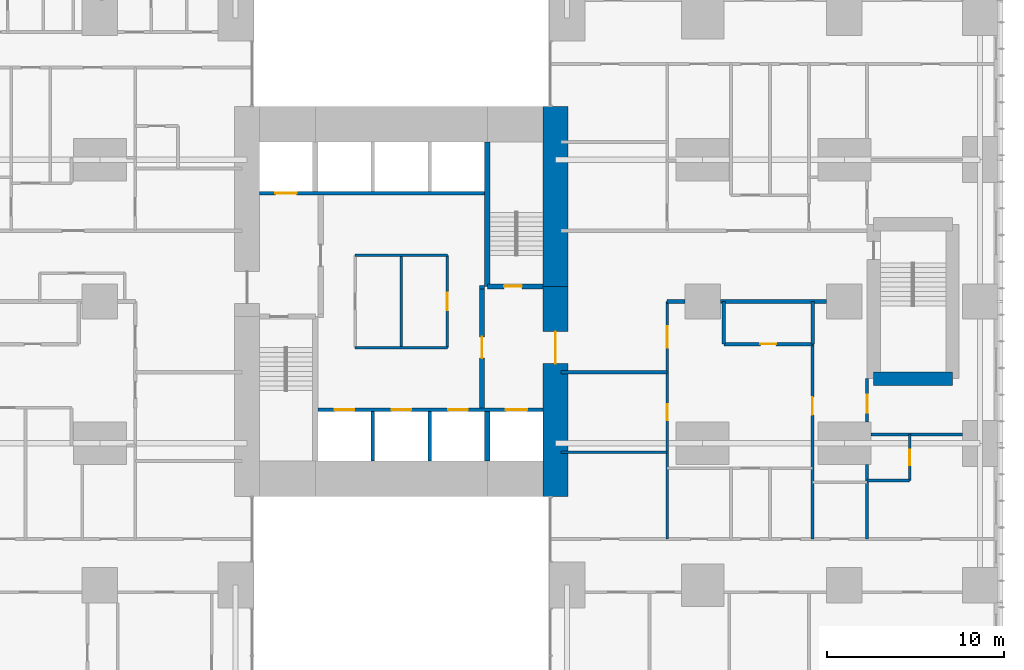
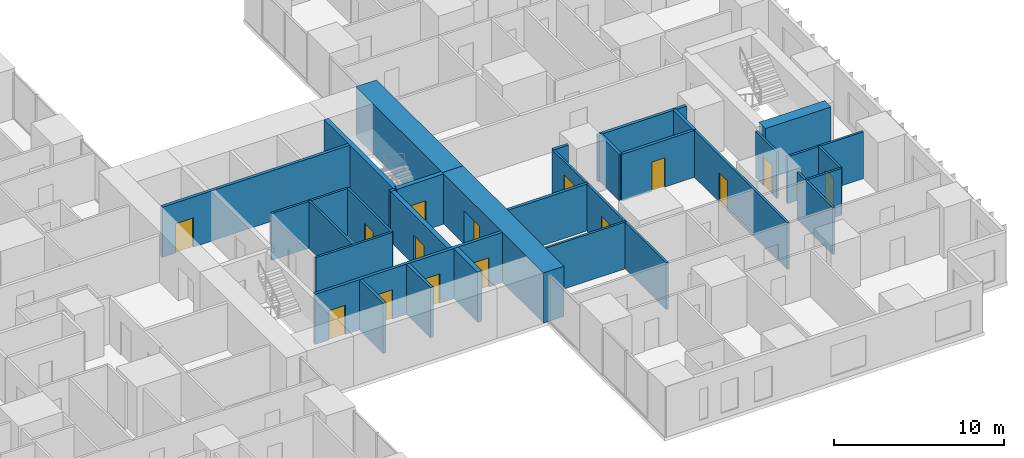
# One storey, part 15 of 20: 30 walls, 15 doors, 15 openings.
"""IFC4 building model written with IfcOpenShell, lengths in metres."""

import ifcopenshell
import ifcopenshell.guid

model = None  # the IFC model being written
_history = None  # IfcOwnerHistory: only IFC2X3 demands one
_inside = {}  # id of a spatial element -> (the spatial element, [elements in it])
_under = {}  # id of a project, library or spatial element -> (it, [spatial elements below it])
_declared = {}  # id of a project -> (the project, [libraries it declares])
_typed = {}  # id of a type object -> (the type object, [elements of that type])
_made_of = {}  # id of a material, layer set ... -> (it, [elements and type objects made of it])


def new_model(schema):
    """Start an empty IFC model of exactly this schema.

    Asked for "IFC4X3", IfcOpenShell would pick the latest addendum, in which some entities
    have other attributes; the version numbers below select the first issue.
    IFC2X3 requires an IfcOwnerHistory on every rooted entity: one is made here for all.
    """
    global model, _history
    if schema == "IFC4X3":
        model = ifcopenshell.file(schema_version=(4, 3, 0, 0))
    else:
        model = ifcopenshell.file(schema=schema)
    _inside.clear()
    _under.clear()
    _declared.clear()
    _typed.clear()
    _made_of.clear()
    _history = None
    if model.schema == "IFC2X3":
        org = make("IfcOrganization", Name="unknown")
        user = make(
            "IfcPersonAndOrganization",
            ThePerson=make("IfcPerson", FamilyName="unknown"),
            TheOrganization=org,
        )
        app = make(
            "IfcApplication",
            ApplicationDeveloper=org,
            Version="unknown",
            ApplicationFullName="unknown",
            ApplicationIdentifier="unknown",
        )
        _history = make(
            "IfcOwnerHistory",
            OwningUser=user,
            OwningApplication=app,
            ChangeAction="ADDED",
            CreationDate=0,
        )
    return model


def make(cls, **values):
    """One entity of the class cls with the attributes given. An attribute that is None is left unset."""
    return model.create_entity(
        cls, **{name: value for name, value in values.items() if value is not None}
    )


def rooted(cls, **values):
    """An entity with a GlobalId (a new one), such as an element, a storey or a relation."""
    return make(cls, GlobalId=ifcopenshell.guid.new(), OwnerHistory=_history, **values)


def si_unit(unit_type, name, prefix=None):
    """IfcSIUnit, for example si_unit("LENGTHUNIT", "METRE", prefix="MILLI")."""
    return make("IfcSIUnit", UnitType=unit_type, Prefix=prefix, Name=name)


def assignment(units):
    """IfcUnitAssignment: the units of a project."""
    return None if units is None else make("IfcUnitAssignment", Units=units)


def point(xyz):
    """IfcCartesianPoint."""
    return None if xyz is None else make("IfcCartesianPoint", Coordinates=xyz)


def direction(xyz):
    """IfcDirection."""
    return None if xyz is None else make("IfcDirection", DirectionRatios=xyz)


def frame(location, z_axis=None, x_axis=None):
    """IfcAxis2Placement3D, a coordinate frame: its origin and axes. An axis left out is left unset."""
    return make(
        "IfcAxis2Placement3D",
        Location=point(location),
        Axis=direction(z_axis),
        RefDirection=direction(x_axis),
    )


def frame_2d(location, x_axis=None):
    """IfcAxis2Placement2D, a coordinate frame in the plane: its origin and x axis."""
    return make(
        "IfcAxis2Placement2D", Location=point(location), RefDirection=direction(x_axis)
    )


def origin():
    """The frame at (0, 0, 0) with its axes left unset."""
    return frame((0.0, 0.0, 0.0))


def place(relative_to, where):
    """IfcLocalPlacement: puts the frame where relative to a parent placement (None: the world)."""
    return make(
        "IfcLocalPlacement", PlacementRelTo=relative_to, RelativePlacement=where
    )


def context(
    kind, dimensions, precision=None, world=None, true_north=None, identifier=None
):
    """IfcGeometricRepresentationContext, for example the 3D "Model" context."""
    return make(
        "IfcGeometricRepresentationContext",
        ContextIdentifier=identifier,
        ContextType=kind,
        CoordinateSpaceDimension=dimensions,
        Precision=precision,
        WorldCoordinateSystem=world,
        TrueNorth=true_north,
    )


def subcontext(parent, identifier, kind, view, scale=None):
    """IfcGeometricRepresentationSubContext, for example "Body" below "Model"."""
    return make(
        "IfcGeometricRepresentationSubContext",
        ContextIdentifier=identifier,
        ContextType=kind,
        ParentContext=parent,
        TargetScale=scale,
        TargetView=view,
    )


def project(units=None, contexts=None):
    """IfcProject with its units and contexts."""
    return rooted(
        "IfcProject",
        Name="project",
        RepresentationContexts=contexts,
        UnitsInContext=assignment(units),
    )


def spatial(cls, under=None, at=None, **own):
    """A site, building, storey or space (cls), placed at a placement, below another one or the project."""
    s = rooted(cls, ObjectPlacement=at, **own)
    if under is not None:
        _under.setdefault(under.id(), (under, []))[1].append(s)
    return s


def profile(cls, at=None, kind="AREA", **sizes):
    """A parametric profile (cls). Its sizes go by their IFC names, for example OverallWidth=200.0."""
    return make(cls, ProfileType=kind, Position=at, **sizes)


def rectangle(**sizes):
    """IfcRectangleProfileDef."""
    return profile("IfcRectangleProfileDef", **sizes)


def extrude(swept, where, along, depth):
    """IfcExtrudedAreaSolid: the profile swept, set in the frame where, extruded along a direction by depth."""
    return make(
        "IfcExtrudedAreaSolid",
        SweptArea=swept,
        Position=where,
        ExtrudedDirection=direction(along),
        Depth=depth,
    )


def shape(context_of_items, identifier, shape_type, items):
    """IfcShapeRepresentation: the items that make up one representation, for example the "Body"."""
    return make(
        "IfcShapeRepresentation",
        ContextOfItems=context_of_items,
        RepresentationIdentifier=identifier,
        RepresentationType=shape_type,
        Items=items,
    )


def material(Name=None, Category=None):
    """IfcMaterial."""
    return make("IfcMaterial", Name=Name, Category=Category)


def layer(
    of_material, thickness, ventilated=None, Name=None, Category=None, Priority=None
):
    """IfcMaterialLayer: one layer of a wall or slab, of a material (None: an air gap)."""
    return make(
        "IfcMaterialLayer",
        Material=of_material,
        LayerThickness=thickness,
        IsVentilated=ventilated,
        Name=Name,
        Category=Category,
        Priority=Priority,
    )


def layer_set(layers, Name=None):
    """IfcMaterialLayerSet."""
    return make("IfcMaterialLayerSet", MaterialLayers=layers, LayerSetName=Name)


def made_of(thing, what):
    """Note that an element or type object is made of a material, layer set ...; save() writes the relation."""
    if what is not None:
        _made_of.setdefault(what.id(), (what, []))[1].append(thing)
    return thing


def type_object(cls, material=None, **own):
    """A type object (cls), such as IfcWallType, which elements share."""
    return made_of(rooted(cls, **own), material)


def element(
    cls,
    number,
    at=None,
    inside=None,
    cuts=None,
    type_object=None,
    material=None,
    context=None,
    identifier="Body",
    shape_type=None,
    held_by="IfcProductDefinitionShape",
    body=None,
    shapes=None,
    **own,
):
    """One element of the class cls, such as IfcWall. Its Tag is "e" and its number.

    at: its placement. inside: the storey or other place that contains it. cuts: it is an
    opening in that element (IfcRelVoidsElement). A single representation is given by context,
    identifier, shape_type and body (its items); several are given by shapes. held_by: the class
    of the entity that holds the representations. save() writes the other relations.
    """
    e = rooted(cls, Tag="e%d" % number, ObjectPlacement=at, **own)
    if body is not None:
        shapes = [shape(context, identifier, shape_type, body)]
    if shapes is not None:
        e.Representation = make(held_by, Representations=shapes)
    if inside is not None:
        _inside.setdefault(inside.id(), (inside, []))[1].append(e)
    if cuts is not None:
        rooted(
            "IfcRelVoidsElement", RelatingBuildingElement=cuts, RelatedOpeningElement=e
        )
    if type_object is not None:
        _typed.setdefault(type_object.id(), (type_object, []))[1].append(e)
    return made_of(e, material)


def fill(opening, filler):
    """IfcRelFillsElement: the door or window that sits in an opening."""
    return rooted(
        "IfcRelFillsElement",
        RelatingOpeningElement=opening,
        RelatedBuildingElement=filler,
    )


def aggregate(whole, parts):
    """IfcRelAggregates: a whole, such as a stair, and the parts it consists of."""
    return rooted("IfcRelAggregates", RelatingObject=whole, RelatedObjects=parts)


def save(model, path):
    """Write the relations noted so far, then the file.

    IfcRelAggregates (storeys below a building ...), IfcRelContainedInSpatialStructure (elements
    in a storey), IfcRelDefinesByType, IfcRelAssociatesMaterial and IfcRelDeclares: one each for
    every whole, place, type object, material and project.
    """
    for whole, parts in _under.values():
        aggregate(whole, parts)
    for where, things in _inside.values():
        rooted(
            "IfcRelContainedInSpatialStructure",
            RelatedElements=things,
            RelatingStructure=where,
        )
    for kind, things in _typed.values():
        rooted("IfcRelDefinesByType", RelatedObjects=things, RelatingType=kind)
    for what, things in _made_of.values():
        rooted("IfcRelAssociatesMaterial", RelatedObjects=things, RelatingMaterial=what)
    for by, libraries in _declared.values():
        rooted("IfcRelDeclares", RelatingContext=by, RelatedDefinitions=libraries)
    model.write(path)


model = new_model("IFC4")

# Units and contexts
model_context = context("Model", 3, precision=1e-05, world=origin(), true_north=direction((0.0, 1.0)))
body_context = subcontext(model_context, "Body", "Model", "MODEL_VIEW")
ifc_project = project(units=[si_unit("LENGTHUNIT", "METRE"), si_unit("AREAUNIT", "SQUARE_METRE"), si_unit("VOLUMEUNIT", "CUBIC_METRE"), si_unit("PLANEANGLEUNIT", "RADIAN"), si_unit("MASSUNIT", "GRAM", prefix="KILO")], contexts=[model_context])

# Site, building, storey
site_placement = place(None, origin())
site = spatial("IfcSite", under=ifc_project, at=site_placement, CompositionType="ELEMENT")
building_placement = place(site_placement, origin())
building = spatial("IfcBuilding", under=site, at=building_placement, Name="Cleftline Residences", CompositionType="ELEMENT")
storey_placement = place(building_placement, frame((0.0, 0.0, 114.199951171875)))
storey = spatial("IfcBuildingStorey", under=building, at=storey_placement, Name="L29", CompositionType="ELEMENT", Elevation=114.199951171875)

# Wall, opening, door
ifc_material_1 = material(Name="Concrete B70", Category="concrete")
ifc_layer_1 = layer(ifc_material_1, 1.39990234375)
ifc_layer_set_1 = layer_set([ifc_layer_1], Name="CORE WALL 1400")
wall_type_1 = type_object("IfcWallType", Name="CORE WALL 1400", PredefinedType="SHEAR", material=ifc_layer_set_1)
wall_1_placement = place(storey_placement, frame((41.699951171875, 13.0, 0.0), z_axis=(0.0, 0.0, 1.0), x_axis=(0.0, 1.0, 0.0)))
wall_1 = element("IfcWall", 1, at=wall_1_placement, inside=storey, type_object=wall_type_1, Name="Core wall E", PredefinedType="SHEAR", context=body_context, shape_type="SweptSolid", body=[
    extrude(rectangle(XDim=11.85009765625, YDim=1.39990234375, at=frame_2d((5.925048828125, 0.0))), origin(), (0.0, 0.0, 1.0), 3.60009765625),
])
opening_1_placement = place(wall_1_placement, frame((7.5, 0.0, 0.0)))
opening_1 = element("IfcOpeningElement", 2, at=opening_1_placement, cuts=wall_1, Name="Opening D7", PredefinedType="OPENING", context=body_context, shape_type="SweptSolid", body=[
    extrude(rectangle(XDim=1.800048828125, YDim=2.39990234375, at=frame_2d((0.89990234375, 1.199951171875))), frame((0.0, 0.7099609375, 0.0), z_axis=(0.0, -1.0, 0.0), x_axis=(1.0, 0.0, 0.0)), (0.0, 0.0, 1.0), 1.419921875),
])
ifc_material_2 = material(Name="Steel", Category="steel")
door_type_1 = type_object("IfcDoorType", Name="WING DOOR 1800X2400", OperationType="DOUBLE_DOOR_DOUBLE_SWING", PredefinedType="DOOR", material=ifc_material_2)
door_1_placement = place(opening_1_placement, origin())
door_1 = element("IfcDoor", 3, at=door_1_placement, inside=storey, type_object=door_type_1, Name="East wing door", OperationType="DOUBLE_DOOR_DOUBLE_SWING", OverallHeight=2.39990234375, OverallWidth=1.800048828125, PredefinedType="DOOR", context=body_context, shape_type="SweptSolid", body=[
    extrude(rectangle(XDim=1.800048828125, YDim=2.39990234375, at=frame_2d((0.89990234375, 1.199951171875))), frame((0.0, 0.02490234375, 0.0), z_axis=(0.0, -1.0, 0.0), x_axis=(1.0, 0.0, 0.0)), (0.0, 0.0, 1.0), 0.050048828125),
])
fill(opening_1, door_1)

# Walls
wall_2_placement = place(storey_placement, frame((41.699951171875, 24.85009765625, 0.0), z_axis=(0.0, 0.0, 1.0), x_axis=(0.0, 1.0, 0.0)))
element("IfcWall", 4, at=wall_2_placement, inside=storey, type_object=wall_type_1, Name="Core wall E1", PredefinedType="SHEAR", context=body_context, shape_type="SweptSolid", body=[
    extrude(rectangle(XDim=10.14990234375, YDim=1.39990234375, at=frame_2d((5.074951171875, 0.0))), origin(), (0.0, 0.0, 1.0), 3.60009765625),
])
ifc_material_3 = material(Name="Concrete B70", Category="concrete")
ifc_layer_2 = layer(ifc_material_3, 0.300048828125)
ifc_layer_set_2 = layer_set([ifc_layer_2], Name="CORE WALL 300")
wall_type_2 = type_object("IfcWallType", Name="CORE WALL 300", PredefinedType="SHEAR", material=ifc_layer_set_2)
wall_3_placement = place(storey_placement, frame((37.85009765625, 24.85009765625, 0.0), z_axis=(0.0, 0.0, 1.0), x_axis=(0.0, 1.0, 0.0)))
element("IfcWall", 5, at=wall_3_placement, inside=storey, type_object=wall_type_2, Name="Core wall SB-W", PredefinedType="SHEAR", context=body_context, shape_type="SweptSolid", body=[
    extrude(rectangle(XDim=8.14990234375, YDim=0.300048828125, at=frame_2d((4.074951171875, 0.0))), origin(), (0.0, 0.0, 1.0), 3.60009765625),
])

# Wall, opening, door
wall_4_placement = place(storey_placement, frame((37.85009765625, 24.85009765625, 0.0), z_axis=(0.0, 0.0, 1.0), x_axis=(1.0, 0.0, 0.0)))
wall_4 = element("IfcWall", 6, at=wall_4_placement, inside=storey, type_object=wall_type_2, Name="Core wall SB-S", PredefinedType="SHEAR", context=body_context, shape_type="SweptSolid", body=[
    extrude(rectangle(XDim=3.14990234375, YDim=0.300048828125, at=frame_2d((1.574951171875, 0.0))), origin(), (0.0, 0.0, 1.0), 3.60009765625),
])
opening_2_placement = place(wall_4_placement, frame((0.949951171875, 0.0, 0.0)))
opening_2 = element("IfcOpeningElement", 7, at=opening_2_placement, cuts=wall_4, Name="Opening D5", PredefinedType="OPENING", context=body_context, shape_type="SweptSolid", body=[
    extrude(rectangle(XDim=1.0, YDim=2.10009765625, at=frame_2d((0.5, 1.050048828125))), frame((0.0, 0.159912109375, 0.0), z_axis=(0.0, -1.0, 0.0), x_axis=(1.0, 0.0, 0.0)), (0.0, 0.0, 1.0), 0.320068359375),
])
ifc_material_4 = material(Name="Steel", Category="steel")
door_type_2 = type_object("IfcDoorType", Name="STAIR DOOR 1000X2100", OperationType="SINGLE_SWING_LEFT", PredefinedType="DOOR", material=ifc_material_4)
door_2_placement = place(opening_2_placement, origin())
door_2 = element("IfcDoor", 8, at=door_2_placement, inside=storey, type_object=door_type_2, Name="Stair B door", OperationType="SINGLE_SWING_RIGHT", OverallHeight=2.10009765625, OverallWidth=1.0, PredefinedType="DOOR", context=body_context, shape_type="SweptSolid", body=[
    extrude(rectangle(XDim=1.0, YDim=2.10009765625, at=frame_2d((0.5, 1.050048828125))), frame((0.0, 0.02490234375, 0.0), z_axis=(0.0, -1.0, 0.0), x_axis=(1.0, 0.0, 0.0)), (0.0, 0.0, 1.0), 0.050048828125),
])
fill(opening_2, door_2)

# Walls
wall_5_placement = place(storey_placement, frame((37.85009765625, 15.0, 0.0), z_axis=(0.0, 0.0, 1.0), x_axis=(0.0, 1.0, 0.0)))
element("IfcWall", 9, at=wall_5_placement, inside=storey, type_object=wall_type_2, Name="Lift shaft wall", PredefinedType="SHEAR", context=body_context, shape_type="SweptSolid", body=[
    extrude(rectangle(XDim=2.800048828125, YDim=0.300048828125, at=frame_2d((1.39990234375, 0.0))), origin(), (0.0, 0.0, 1.0), 3.60009765625),
])
ifc_material_5 = material(Name="Concrete blockwork, fire rated", Category="masonry")
ifc_layer_3 = layer(ifc_material_5, 0.199951171875)
ifc_layer_set_3 = layer_set([ifc_layer_3], Name="FIRE WALL 200")
wall_type_3 = type_object("IfcWallType", Name="FIRE WALL 200", PredefinedType="PARTITIONING", material=ifc_layer_set_3)
wall_6_placement = place(storey_placement, frame((42.0, 20.0, 0.0), z_axis=(0.0, 0.0, 1.0), x_axis=(1.0, 0.0, 0.0)))
element("IfcWall", 10, at=wall_6_placement, inside=storey, type_object=wall_type_3, Name="Fire separating wall", PredefinedType="PARTITIONING", context=body_context, shape_type="SweptSolid", body=[
    extrude(rectangle(XDim=6.0, YDim=0.199951171875, at=frame_2d((3.0, 0.0))), origin(), (0.0, 0.0, 1.0), 3.35009765625),
])

# Wall, opening, door
wall_7_placement = place(storey_placement, frame((51.199951171875, 21.60009765625, 0.0), z_axis=(0.0, 0.0, 1.0), x_axis=(1.0, 0.0, 0.0)))
wall_7 = element("IfcWall", 11, at=wall_7_placement, inside=storey, type_object=wall_type_3, Name="Fire separating wall", PredefinedType="PARTITIONING", context=body_context, shape_type="SweptSolid", body=[
    extrude(rectangle(XDim=5.0, YDim=0.199951171875, at=frame_2d((2.5, 0.0))), origin(), (0.0, 0.0, 1.0), 3.35009765625),
])
opening_3_placement = place(wall_7_placement, frame((2.050048828125, 0.0, 0.0)))
opening_3 = element("IfcOpeningElement", 12, at=opening_3_placement, cuts=wall_7, Name="Opening D1F30", PredefinedType="OPENING", context=body_context, shape_type="SweptSolid", body=[
    extrude(rectangle(XDim=0.89990234375, YDim=2.10009765625, at=frame_2d((0.449951171875, 1.050048828125))), frame((0.0, 0.10986328125, 0.0), z_axis=(0.0, -1.0, 0.0), x_axis=(1.0, 0.0, 0.0)), (0.0, 0.0, 1.0), 0.219970703125),
])
ifc_material_6 = material(Name="Timber veneer on solid core", Category="wood")
door_type_3 = type_object("IfcDoorType", Name="DOOR 900X2100 EI 30", OperationType="SINGLE_SWING_LEFT", PredefinedType="DOOR", material=ifc_material_6)
door_3_placement = place(opening_3_placement, origin())
door_3 = element("IfcDoor", 13, at=door_3_placement, inside=storey, type_object=door_type_3, Name="Door to cloakroom wc", OperationType="SINGLE_SWING_LEFT", OverallHeight=2.10009765625, OverallWidth=0.89990234375, PredefinedType="DOOR", context=body_context, shape_type="SweptSolid", body=[
    extrude(rectangle(XDim=0.89990234375, YDim=2.10009765625, at=frame_2d((0.449951171875, 1.050048828125))), frame((0.0, 0.02490234375, 0.0), z_axis=(0.0, -1.0, 0.0), x_axis=(1.0, 0.0, 0.0)), (0.0, 0.0, 1.0), 0.050048828125),
])
fill(opening_3, door_3)

# Walls
wall_8_placement = place(storey_placement, frame((48.0, 24.0, 0.0), z_axis=(0.0, 0.0, 1.0), x_axis=(1.0, 0.0, 0.0)))
element("IfcWall", 14, at=wall_8_placement, inside=storey, type_object=wall_type_3, Name="Fire separating wall", PredefinedType="PARTITIONING", context=body_context, shape_type="SweptSolid", body=[
    extrude(rectangle(XDim=1.0, YDim=0.199951171875, at=frame_2d((0.5, 0.0))), origin(), (0.0, 0.0, 1.0), 3.35009765625),
])
wall_9_placement = place(storey_placement, frame((51.0, 24.0, 0.0), z_axis=(0.0, 0.0, 1.0), x_axis=(1.0, 0.0, 0.0)))
element("IfcWall", 15, at=wall_9_placement, inside=storey, type_object=wall_type_3, Name="Fire separating wall", PredefinedType="PARTITIONING", context=body_context, shape_type="SweptSolid", body=[
    extrude(rectangle(XDim=6.0, YDim=0.199951171875, at=frame_2d((3.0, 0.0))), origin(), (0.0, 0.0, 1.0), 3.35009765625),
])
for number, where, z_axis, x_axis, name in (
    (16, (51.199951171875, 21.60009765625, 0.0), (0.0, 0.0, 1.0), (0.0, 1.0, 0.0), "Fire separating wall"),
    (17, (56.199951171875, 21.60009765625, 0.0), (0.0, 0.0, 1.0), (0.0, 1.0, 0.0), "Fire separating wall"),
):
    element("IfcWall", number, at=place(storey_placement, frame(where, z_axis=z_axis, x_axis=x_axis)), inside=storey, type_object=wall_type_3, Name=name, PredefinedType="PARTITIONING", context=body_context, shape_type="SweptSolid", body=[
        extrude(rectangle(XDim=2.39990234375, YDim=0.199951171875, at=frame_2d((1.199951171875, 0.0))), origin(), (0.0, 0.0, 1.0), 3.35009765625),
    ])
wall_10_placement = place(storey_placement, frame((37.39990234375, 24.800048828125, 0.0), z_axis=(0.0, 0.0, 1.0), x_axis=(1.0, 0.0, 0.0)))
element("IfcWall", 18, at=wall_10_placement, inside=storey, type_object=wall_type_3, Name="Fire separating wall", PredefinedType="PARTITIONING", context=body_context, shape_type="SweptSolid", body=[
    extrude(rectangle(XDim=0.300048828125, YDim=0.199951171875, at=frame_2d((0.14990234375, 0.0))), origin(), (0.0, 0.0, 1.0), 3.60009765625),
])
ifc_material_7 = material(Name="Gypsum board on steel studs", Category="steel")
ifc_layer_4 = layer(ifc_material_7, 0.14990234375)
ifc_layer_set_4 = layer_set([ifc_layer_4], Name="PARTITION 150")
wall_type_4 = type_object("IfcWallType", Name="PARTITION 150", PredefinedType="PARTITIONING", material=ifc_layer_set_4)
wall_11_placement = place(storey_placement, frame((59.27490234375, 13.89990234375, 0.0), z_axis=(0.0, 0.0, 1.0), x_axis=(1.0, 0.0, 0.0)))
element("IfcWall", 19, at=wall_11_placement, inside=storey, type_object=wall_type_4, Name="Partition", PredefinedType="PARTITIONING", context=body_context, shape_type="SweptSolid", body=[
    extrude(rectangle(XDim=2.400146484375, YDim=0.14990234375, at=frame_2d((1.2001953125, 0.0))), origin(), (0.0, 0.0, 1.0), 3.35009765625),
])
wall_12_placement = place(storey_placement, frame((42.0, 15.5, 0.0), z_axis=(0.0, 0.0, 1.0), x_axis=(1.0, 0.0, 0.0)))
element("IfcWall", 20, at=wall_12_placement, inside=storey, type_object=wall_type_4, Name="Partition", PredefinedType="PARTITIONING", context=body_context, shape_type="SweptSolid", body=[
    extrude(rectangle(XDim=6.0, YDim=0.14990234375, at=frame_2d((3.0, 0.0))), origin(), (0.0, 0.0, 1.0), 3.35009765625),
])
wall_13_placement = place(storey_placement, frame((59.5, 16.5, 0.0), z_axis=(0.0, 0.0, 1.0), x_axis=(1.0, 0.0, 0.0)))
element("IfcWall", 21, at=wall_13_placement, inside=storey, type_object=wall_type_4, Name="Partition", PredefinedType="PARTITIONING", context=body_context, shape_type="SweptSolid", body=[
    extrude(rectangle(XDim=5.14990234375, YDim=0.14990234375, at=frame_2d((2.574951171875, 0.0))), origin(), (0.0, 0.0, 1.0), 3.35009765625),
])

# Wall, openings, doors
wall_14_placement = place(storey_placement, frame((48.0, 10.60009765625, 0.0), z_axis=(0.0, 0.0, 1.0), x_axis=(0.0, 1.0, 0.0)))
wall_14 = element("IfcWall", 22, at=wall_14_placement, inside=storey, type_object=wall_type_4, Name="Partition", PredefinedType="PARTITIONING", context=body_context, shape_type="SweptSolid", body=[
    extrude(rectangle(XDim=13.39990234375, YDim=0.14990234375, at=frame_2d((6.699951171875, 0.0))), origin(), (0.0, 0.0, 1.0), 3.35009765625),
])
opening_4_placement = place(wall_14_placement, frame((10.800048828125, 0.0, 0.0)))
opening_4 = element("IfcOpeningElement", 23, at=opening_4_placement, cuts=wall_14, Name="Opening D4", PredefinedType="OPENING", context=body_context, shape_type="SweptSolid", body=[
    extrude(rectangle(XDim=1.199951171875, YDim=2.39990234375, at=frame_2d((0.60009765625, 1.199951171875))), frame((0.0, 0.0849609375, 0.0), z_axis=(0.0, -1.0, 0.0), x_axis=(1.0, 0.0, 0.0)), (0.0, 0.0, 1.0), 0.169921875),
])
opening_5_placement = place(wall_14_placement, frame((6.699951171875, 0.0, 0.0)))
opening_5 = element("IfcOpeningElement", 24, at=opening_5_placement, cuts=wall_14, Name="Opening D1F60", PredefinedType="OPENING", context=body_context, shape_type="SweptSolid", body=[
    extrude(rectangle(XDim=0.89990234375, YDim=2.10009765625, at=frame_2d((0.449951171875, 1.050048828125))), frame((0.0, 0.0849609375, 0.0), z_axis=(0.0, -1.0, 0.0), x_axis=(1.0, 0.0, 0.0)), (0.0, 0.0, 1.0), 0.169921875),
])
ifc_material_8 = material(Name="Timber veneer on solid core", Category="wood")
door_type_4 = type_object("IfcDoorType", Name="APARTMENT ENTRANCE DOOR 1200X2400", OperationType="SINGLE_SWING_RIGHT", PredefinedType="DOOR", material=ifc_material_8)
door_4_placement = place(opening_4_placement, origin())
door_4 = element("IfcDoor", 25, at=door_4_placement, inside=storey, type_object=door_type_4, Name="Door to residence entrance foyer", OperationType="SINGLE_SWING_LEFT", OverallHeight=2.39990234375, OverallWidth=1.199951171875, PredefinedType="DOOR", context=body_context, shape_type="SweptSolid", body=[
    extrude(rectangle(XDim=1.199951171875, YDim=2.39990234375, at=frame_2d((0.60009765625, 1.199951171875))), frame((0.0, 0.02490234375, 0.0), z_axis=(0.0, -1.0, 0.0), x_axis=(1.0, 0.0, 0.0)), (0.0, 0.0, 1.0), 0.050048828125),
])
fill(opening_4, door_4)
ifc_material_9 = material(Name="Timber veneer on solid core", Category="wood")
door_type_5 = type_object("IfcDoorType", Name="DOOR 900X2100 EI 60", OperationType="SINGLE_SWING_LEFT", PredefinedType="DOOR", material=ifc_material_9)
door_5_placement = place(opening_5_placement, origin())
door_5 = element("IfcDoor", 26, at=door_5_placement, inside=storey, type_object=door_type_5, Name="Door to utility room", OperationType="SINGLE_SWING_LEFT", OverallHeight=2.10009765625, OverallWidth=0.89990234375, PredefinedType="DOOR", context=body_context, shape_type="SweptSolid", body=[
    extrude(rectangle(XDim=0.89990234375, YDim=2.10009765625, at=frame_2d((0.449951171875, 1.050048828125))), frame((0.0, 0.02490234375, 0.0), z_axis=(0.0, -1.0, 0.0), x_axis=(1.0, 0.0, 0.0)), (0.0, 0.0, 1.0), 0.050048828125),
])
fill(opening_5, door_5)

# Wall, opening, door
wall_15_placement = place(storey_placement, frame((56.199951171875, 10.60009765625, 0.0), z_axis=(0.0, 0.0, 1.0), x_axis=(0.0, 1.0, 0.0)))
wall_15 = element("IfcWall", 27, at=wall_15_placement, inside=storey, type_object=wall_type_4, Name="Partition", PredefinedType="PARTITIONING", context=body_context, shape_type="SweptSolid", body=[
    extrude(rectangle(XDim=11.0, YDim=0.14990234375, at=frame_2d((5.5, 0.0))), origin(), (0.0, 0.0, 1.0), 3.35009765625),
])
opening_6_placement = place(wall_15_placement, frame((7.0, 0.0, 0.0)))
opening_6 = element("IfcOpeningElement", 28, at=opening_6_placement, cuts=wall_15, Name="Opening D2F30", PredefinedType="OPENING", context=body_context, shape_type="SweptSolid", body=[
    extrude(rectangle(XDim=1.0, YDim=2.10009765625, at=frame_2d((0.5, 1.050048828125))), frame((0.0, 0.0849609375, 0.0), z_axis=(0.0, -1.0, 0.0), x_axis=(1.0, 0.0, 0.0)), (0.0, 0.0, 1.0), 0.169921875),
])
ifc_material_10 = material(Name="Timber veneer on solid core", Category="wood")
door_type_6 = type_object("IfcDoorType", Name="DOOR 1000X2100 EI 30", OperationType="SINGLE_SWING_LEFT", PredefinedType="DOOR", material=ifc_material_10)
door_6_placement = place(opening_6_placement, origin())
door_6 = element("IfcDoor", 29, at=door_6_placement, inside=storey, type_object=door_type_6, Name="Door to residence lobby", OperationType="SINGLE_SWING_LEFT", OverallHeight=2.10009765625, OverallWidth=1.0, PredefinedType="DOOR", context=body_context, shape_type="SweptSolid", body=[
    extrude(rectangle(XDim=1.0, YDim=2.10009765625, at=frame_2d((0.5, 1.050048828125))), frame((0.0, 0.02490234375, 0.0), z_axis=(0.0, -1.0, 0.0), x_axis=(1.0, 0.0, 0.0)), (0.0, 0.0, 1.0), 0.050048828125),
])
fill(opening_6, door_6)

# Wall
wall_16_placement = place(storey_placement, frame((59.27490234375, 10.60009765625, 0.0), z_axis=(0.0, 0.0, 1.0), x_axis=(0.0, 1.0, 0.0)))
element("IfcWall", 30, at=wall_16_placement, inside=storey, type_object=wall_type_4, Name="Partition", PredefinedType="PARTITIONING", context=body_context, shape_type="SweptSolid", body=[
    extrude(rectangle(XDim=4.199951171875, YDim=0.14990234375, at=frame_2d((2.10009765625, 0.0))), origin(), (0.0, 0.0, 1.0), 3.35009765625),
])

# Wall, opening, door
wall_17_placement = place(storey_placement, frame((59.27490234375, 17.199951171875, 0.0), z_axis=(0.0, 0.0, 1.0), x_axis=(0.0, 1.0, 0.0)))
wall_17 = element("IfcWall", 31, at=wall_17_placement, inside=storey, type_object=wall_type_4, Name="Partition", PredefinedType="PARTITIONING", context=body_context, shape_type="SweptSolid", body=[
    extrude(rectangle(XDim=2.449951171875, YDim=0.14990234375, at=frame_2d((1.22509765625, 0.0))), origin(), (0.0, 0.0, 1.0), 3.35009765625),
])
opening_7_placement = place(wall_17_placement, frame((0.53759765625, 0.0, 0.0)))
opening_7 = element("IfcOpeningElement", 32, at=opening_7_placement, cuts=wall_17, Name="Opening D2", PredefinedType="OPENING", context=body_context, shape_type="SweptSolid", body=[
    extrude(rectangle(XDim=1.0, YDim=2.10009765625, at=frame_2d((0.5, 1.050048828125))), frame((0.0, 0.0849609375, 0.0), z_axis=(0.0, -1.0, 0.0), x_axis=(1.0, 0.0, 0.0)), (0.0, 0.0, 1.0), 0.169921875),
])
ifc_material_11 = material(Name="Timber veneer on solid core", Category="wood")
door_type_7 = type_object("IfcDoorType", Name="DOOR 1000X2100", OperationType="SINGLE_SWING_LEFT", PredefinedType="DOOR", material=ifc_material_11)
door_7_placement = place(opening_7_placement, origin())
door_7 = element("IfcDoor", 33, at=door_7_placement, inside=storey, type_object=door_type_7, Name="Door to bedroom 2", OperationType="SINGLE_SWING_RIGHT", OverallHeight=2.10009765625, OverallWidth=1.0, PredefinedType="DOOR", context=body_context, shape_type="SweptSolid", body=[
    extrude(rectangle(XDim=1.0, YDim=2.10009765625, at=frame_2d((0.5, 1.050048828125))), frame((0.0, 0.02490234375, 0.0), z_axis=(0.0, -1.0, 0.0), x_axis=(1.0, 0.0, 0.0)), (0.0, 0.0, 1.0), 0.050048828125),
])
fill(opening_7, door_7)

wall_18_placement = place(storey_placement, frame((61.675048828125, 13.89990234375, 0.0), z_axis=(0.0, 0.0, 1.0), x_axis=(0.0, 1.0, 0.0)))
wall_18 = element("IfcWall", 34, at=wall_18_placement, inside=storey, type_object=wall_type_4, Name="Partition", PredefinedType="PARTITIONING", context=body_context, shape_type="SweptSolid", body=[
    extrude(rectangle(XDim=2.60009765625, YDim=0.14990234375, at=frame_2d((1.300048828125, 0.0))), origin(), (0.0, 0.0, 1.0), 3.35009765625),
])
opening_8_placement = place(wall_18_placement, frame((0.85009765625, 0.0, 0.0)))
opening_8 = element("IfcOpeningElement", 35, at=opening_8_placement, cuts=wall_18, Name="Opening D1", PredefinedType="OPENING", context=body_context, shape_type="SweptSolid", body=[
    extrude(rectangle(XDim=0.89990234375, YDim=2.10009765625, at=frame_2d((0.449951171875, 1.050048828125))), frame((0.0, 0.0849609375, 0.0), z_axis=(0.0, -1.0, 0.0), x_axis=(1.0, 0.0, 0.0)), (0.0, 0.0, 1.0), 0.169921875),
])
ifc_material_12 = material(Name="Timber veneer on solid core", Category="wood")
door_type_8 = type_object("IfcDoorType", Name="DOOR 900X2100", OperationType="SINGLE_SWING_LEFT", PredefinedType="DOOR", material=ifc_material_12)
door_8_placement = place(opening_8_placement, origin())
door_8 = element("IfcDoor", 36, at=door_8_placement, inside=storey, type_object=door_type_8, Name="Door to master bathroom", OperationType="SINGLE_SWING_LEFT", OverallHeight=2.10009765625, OverallWidth=0.89990234375, PredefinedType="DOOR", context=body_context, shape_type="SweptSolid", body=[
    extrude(rectangle(XDim=0.89990234375, YDim=2.10009765625, at=frame_2d((0.449951171875, 1.050048828125))), frame((0.0, 0.02490234375, 0.0), z_axis=(0.0, -1.0, 0.0), x_axis=(1.0, 0.0, 0.0)), (0.0, 0.0, 1.0), 0.050048828125),
])
fill(opening_8, door_8)

# Walls
ifc_material_13 = material(Name="Fire-resisting gypsum board on steel studs", Category="steel")
ifc_layer_5 = layer(ifc_material_13, 0.14990234375)
ifc_layer_set_5 = layer_set([ifc_layer_5], Name="PARTITION 150 EI 60")
wall_type_5 = type_object("IfcWallType", Name="PARTITION 150 EI 60", PredefinedType="PARTITIONING", material=ifc_layer_set_5)
for number, where, z_axis, x_axis, name in (
    (37, (30.39990234375, 21.39990234375, 0.0), (0.0, 0.0, 1.0), (1.0, 0.0, 0.0), "Core room partition"),
    (38, (30.39990234375, 26.60009765625, 0.0), (0.0, 0.0, 1.0), (1.0, 0.0, 0.0), "Core room partition"),
):
    element("IfcWall", number, at=place(storey_placement, frame(where, z_axis=z_axis, x_axis=x_axis)), inside=storey, type_object=wall_type_5, Name=name, PredefinedType="PARTITIONING", context=body_context, shape_type="SweptSolid", body=[
        extrude(rectangle(XDim=5.2001953125, YDim=0.14990234375, at=frame_2d((2.60009765625, 0.0))), origin(), (0.0, 0.0, 1.0), 3.35009765625),
    ])

# Wall, opening, door
wall_19_placement = place(storey_placement, frame((35.60009765625, 21.39990234375, 0.0), z_axis=(0.0, 0.0, 1.0), x_axis=(0.0, 1.0, 0.0)))
wall_19 = element("IfcWall", 39, at=wall_19_placement, inside=storey, type_object=wall_type_5, Name="Core room partition", PredefinedType="PARTITIONING", context=body_context, shape_type="SweptSolid", body=[
    extrude(rectangle(XDim=5.2001953125, YDim=0.14990234375, at=frame_2d((2.60009765625, 0.0))), origin(), (0.0, 0.0, 1.0), 3.35009765625),
])
opening_9_placement = place(wall_19_placement, frame((2.10009765625, 0.0, 0.0)))
opening_9 = element("IfcOpeningElement", 40, at=opening_9_placement, cuts=wall_19, Name="Opening D2F60", PredefinedType="OPENING", context=body_context, shape_type="SweptSolid", body=[
    extrude(rectangle(XDim=1.0, YDim=2.10009765625, at=frame_2d((0.5, 1.050048828125))), frame((0.0, 0.0849609375, 0.0), z_axis=(0.0, -1.0, 0.0), x_axis=(1.0, 0.0, 0.0)), (0.0, 0.0, 1.0), 0.169921875),
])
ifc_material_14 = material(Name="Timber veneer on solid core", Category="wood")
door_type_9 = type_object("IfcDoorType", Name="DOOR 1000X2100 EI 60", OperationType="SINGLE_SWING_LEFT", PredefinedType="DOOR", material=ifc_material_14)
door_9_placement = place(opening_9_placement, origin())
door_9 = element("IfcDoor", 41, at=door_9_placement, inside=storey, type_object=door_type_9, Name="Door to communications room", OperationType="SINGLE_SWING_LEFT", OverallHeight=2.10009765625, OverallWidth=1.0, PredefinedType="DOOR", context=body_context, shape_type="SweptSolid", body=[
    extrude(rectangle(XDim=1.0, YDim=2.10009765625, at=frame_2d((0.5, 1.050048828125))), frame((0.0, 0.02490234375, 0.0), z_axis=(0.0, -1.0, 0.0), x_axis=(1.0, 0.0, 0.0)), (0.0, 0.0, 1.0), 0.050048828125),
])
fill(opening_9, door_9)

# Wall
wall_20_placement = place(storey_placement, frame((33.0, 21.39990234375, 0.0), z_axis=(0.0, 0.0, 1.0), x_axis=(0.0, 1.0, 0.0)))
element("IfcWall", 42, at=wall_20_placement, inside=storey, type_object=wall_type_5, Name="Core room partition", PredefinedType="PARTITIONING", context=body_context, shape_type="SweptSolid", body=[
    extrude(rectangle(XDim=5.2001953125, YDim=0.14990234375, at=frame_2d((2.60009765625, 0.0))), origin(), (0.0, 0.0, 1.0), 3.35009765625),
])

# Wall, openings, doors
ifc_material_15 = material(Name="Concrete blockwork, fire rated", Category="masonry")
ifc_layer_6 = layer(ifc_material_15, 0.199951171875)
ifc_layer_set_6 = layer_set([ifc_layer_6], Name="SHAFT WALL 200")
wall_type_6 = type_object("IfcWallType", Name="SHAFT WALL 200", PredefinedType="PARTITIONING", material=ifc_layer_set_6)
wall_21_placement = place(storey_placement, frame((28.300048828125, 17.89990234375, 0.0), z_axis=(0.0, 0.0, 1.0), x_axis=(1.0, 0.0, 0.0)))
wall_21 = element("IfcWall", 43, at=wall_21_placement, inside=storey, type_object=wall_type_6, Name="Lift shaft wall", PredefinedType="PARTITIONING", context=body_context, shape_type="SweptSolid", body=[
    extrude(rectangle(XDim=12.699951171875, YDim=0.199951171875, at=frame_2d((6.35009765625, 0.0))), origin(), (0.0, 0.0, 1.0), 3.60009765625),
])
opening_10_placement = place(wall_21_placement, frame((0.949951171875, 0.0, 0.0)))
opening_10 = element("IfcOpeningElement", 44, at=opening_10_placement, cuts=wall_21, Name="Opening LD1", PredefinedType="OPENING", context=body_context, shape_type="SweptSolid", body=[
    extrude(rectangle(XDim=1.10009765625, YDim=2.10009765625, at=frame_2d((0.550048828125, 1.050048828125))), frame((0.0, 0.10986328125, 0.0), z_axis=(0.0, -1.0, 0.0), x_axis=(1.0, 0.0, 0.0)), (0.0, 0.0, 1.0), 0.219970703125),
])
opening_11_placement = place(wall_21_placement, frame((4.14990234375, 0.0, 0.0)))
opening_11 = element("IfcOpeningElement", 45, at=opening_11_placement, cuts=wall_21, Name="Opening LD1", PredefinedType="OPENING", context=body_context, shape_type="SweptSolid", body=[
    extrude(rectangle(XDim=1.10009765625, YDim=2.10009765625, at=frame_2d((0.550048828125, 1.050048828125))), frame((0.0, 0.10986328125, 0.0), z_axis=(0.0, -1.0, 0.0), x_axis=(1.0, 0.0, 0.0)), (0.0, 0.0, 1.0), 0.219970703125),
])
opening_12_placement = place(wall_21_placement, frame((7.35009765625, 0.0, 0.0)))
opening_12 = element("IfcOpeningElement", 46, at=opening_12_placement, cuts=wall_21, Name="Opening LD1", PredefinedType="OPENING", context=body_context, shape_type="SweptSolid", body=[
    extrude(rectangle(XDim=1.10009765625, YDim=2.10009765625, at=frame_2d((0.550048828125, 1.050048828125))), frame((0.0, 0.10986328125, 0.0), z_axis=(0.0, -1.0, 0.0), x_axis=(1.0, 0.0, 0.0)), (0.0, 0.0, 1.0), 0.219970703125),
])
opening_13_placement = place(wall_21_placement, frame((10.60009765625, 0.0, 0.0)))
opening_13 = element("IfcOpeningElement", 47, at=opening_13_placement, cuts=wall_21, Name="Opening LD2", PredefinedType="OPENING", context=body_context, shape_type="SweptSolid", body=[
    extrude(rectangle(XDim=1.199951171875, YDim=2.10009765625, at=frame_2d((0.60009765625, 1.050048828125))), frame((0.0, 0.10986328125, 0.0), z_axis=(0.0, -1.0, 0.0), x_axis=(1.0, 0.0, 0.0)), (0.0, 0.0, 1.0), 0.219970703125),
])
ifc_material_16 = material(Name="Steel", Category="steel")
door_type_10 = type_object("IfcDoorType", Name="FIREFIGHTING LIFT LANDING DOOR 1200X2100", OperationType="SLIDING_TO_LEFT", PredefinedType="DOOR", material=ifc_material_16)
door_10_placement = place(opening_13_placement, origin())
door_10 = element("IfcDoor", 48, at=door_10_placement, inside=storey, type_object=door_type_10, Name="Lift FL2 landing door", OperationType="SLIDING_TO_LEFT", OverallHeight=2.10009765625, OverallWidth=1.199951171875, PredefinedType="DOOR", context=body_context, shape_type="SweptSolid", body=[
    extrude(rectangle(XDim=1.199951171875, YDim=2.10009765625, at=frame_2d((0.60009765625, 1.050048828125))), frame((0.0, 0.02490234375, 0.0), z_axis=(0.0, -1.0, 0.0), x_axis=(1.0, 0.0, 0.0)), (0.0, 0.0, 1.0), 0.050048828125),
])
fill(opening_13, door_10)
ifc_material_17 = material(Name="Steel", Category="steel")
door_type_11 = type_object("IfcDoorType", Name="LIFT LANDING DOOR 1100X2100", OperationType="SLIDING_TO_LEFT", PredefinedType="DOOR", material=ifc_material_17)
door_11_placement = place(opening_10_placement, origin())
door_11 = element("IfcDoor", 49, at=door_11_placement, inside=storey, type_object=door_type_11, Name="Lift P1 landing door", OperationType="SLIDING_TO_LEFT", OverallHeight=2.10009765625, OverallWidth=1.10009765625, PredefinedType="DOOR", context=body_context, shape_type="SweptSolid", body=[
    extrude(rectangle(XDim=1.10009765625, YDim=2.10009765625, at=frame_2d((0.550048828125, 1.050048828125))), frame((0.0, 0.02490234375, 0.0), z_axis=(0.0, -1.0, 0.0), x_axis=(1.0, 0.0, 0.0)), (0.0, 0.0, 1.0), 0.050048828125),
])
fill(opening_10, door_11)
door_12_placement = place(opening_11_placement, origin())
door_12 = element("IfcDoor", 50, at=door_12_placement, inside=storey, type_object=door_type_11, Name="Lift P2 landing door", OperationType="SLIDING_TO_LEFT", OverallHeight=2.10009765625, OverallWidth=1.10009765625, PredefinedType="DOOR", context=body_context, shape_type="SweptSolid", body=[
    extrude(rectangle(XDim=1.10009765625, YDim=2.10009765625, at=frame_2d((0.550048828125, 1.050048828125))), frame((0.0, 0.02490234375, 0.0), z_axis=(0.0, -1.0, 0.0), x_axis=(1.0, 0.0, 0.0)), (0.0, 0.0, 1.0), 0.050048828125),
])
fill(opening_11, door_12)
door_13_placement = place(opening_12_placement, origin())
door_13 = element("IfcDoor", 51, at=door_13_placement, inside=storey, type_object=door_type_11, Name="Lift P3 landing door", OperationType="SLIDING_TO_LEFT", OverallHeight=2.10009765625, OverallWidth=1.10009765625, PredefinedType="DOOR", context=body_context, shape_type="SweptSolid", body=[
    extrude(rectangle(XDim=1.10009765625, YDim=2.10009765625, at=frame_2d((0.550048828125, 1.050048828125))), frame((0.0, 0.02490234375, 0.0), z_axis=(0.0, -1.0, 0.0), x_axis=(1.0, 0.0, 0.0)), (0.0, 0.0, 1.0), 0.050048828125),
])
fill(opening_12, door_13)

# Wall, opening, door
wall_22_placement = place(storey_placement, frame((25.0, 30.10009765625, 0.0), z_axis=(0.0, 0.0, 1.0), x_axis=(1.0, 0.0, 0.0)))
wall_22 = element("IfcWall", 52, at=wall_22_placement, inside=storey, type_object=wall_type_6, Name="Lift shaft wall", PredefinedType="PARTITIONING", context=body_context, shape_type="SweptSolid", body=[
    extrude(rectangle(XDim=12.699951171875, YDim=0.199951171875, at=frame_2d((6.35009765625, 0.0))), origin(), (0.0, 0.0, 1.0), 3.60009765625),
])
opening_14_placement = place(wall_22_placement, frame((0.89990234375, 0.0, 0.0)))
opening_14 = element("IfcOpeningElement", 53, at=opening_14_placement, cuts=wall_22, Name="Opening LD2", PredefinedType="OPENING", context=body_context, shape_type="SweptSolid", body=[
    extrude(rectangle(XDim=1.199951171875, YDim=2.10009765625, at=frame_2d((0.60009765625, 1.050048828125))), frame((0.0, 0.10986328125, 0.0), z_axis=(0.0, -1.0, 0.0), x_axis=(1.0, 0.0, 0.0)), (0.0, 0.0, 1.0), 0.219970703125),
])
door_14_placement = place(opening_14_placement, origin())
door_14 = element("IfcDoor", 54, at=door_14_placement, inside=storey, type_object=door_type_10, Name="Lift FL1 landing door", OperationType="SLIDING_TO_LEFT", OverallHeight=2.10009765625, OverallWidth=1.199951171875, PredefinedType="DOOR", context=body_context, shape_type="SweptSolid", body=[
    extrude(rectangle(XDim=1.199951171875, YDim=2.10009765625, at=frame_2d((0.60009765625, 1.050048828125))), frame((0.0, 0.02490234375, 0.0), z_axis=(0.0, -1.0, 0.0), x_axis=(1.0, 0.0, 0.0)), (0.0, 0.0, 1.0), 0.050048828125),
])
fill(opening_14, door_14)

# Walls
for number, where, z_axis, x_axis, name in (
    (55, (31.39990234375, 15.0, 0.0), (0.0, 0.0, 1.0), (0.0, 1.0, 0.0), "Lift shaft wall"),
    (56, (34.60009765625, 15.0, 0.0), (0.0, 0.0, 1.0), (0.0, 1.0, 0.0), "Lift shaft wall"),
):
    element("IfcWall", number, at=place(storey_placement, frame(where, z_axis=z_axis, x_axis=x_axis)), inside=storey, type_object=wall_type_6, Name=name, PredefinedType="PARTITIONING", context=body_context, shape_type="SweptSolid", body=[
        extrude(rectangle(XDim=2.800048828125, YDim=0.199951171875, at=frame_2d((1.39990234375, 0.0))), origin(), (0.0, 0.0, 1.0), 3.60009765625),
    ])
ifc_material_18 = material(Name="Concrete B70", Category="concrete")
ifc_layer_7 = layer(ifc_material_18, 0.75)
ifc_layer_set_7 = layer_set([ifc_layer_7], Name="SHEAR WALL 750")
wall_type_7 = type_object("IfcWallType", Name="SHEAR WALL 750", PredefinedType="SHEAR", material=ifc_layer_set_7)
wall_23_placement = place(storey_placement, frame((59.64990234375, 19.64990234375, 0.0), z_axis=(0.0, 0.0, 1.0), x_axis=(1.0, 0.0, 0.0)))
element("IfcWall", 57, at=wall_23_placement, inside=storey, type_object=wall_type_7, Name="Wing shear wall", PredefinedType="SHEAR", context=body_context, shape_type="SweptSolid", body=[
    extrude(rectangle(XDim=4.4501953125, YDim=0.75, at=frame_2d((2.22509765625, 0.0))), origin(), (0.0, 0.0, 1.0), 3.60009765625),
])

# Wall, opening, door
ifc_material_19 = material(Name="Concrete blockwork, fire rated", Category="masonry")
ifc_layer_8 = layer(ifc_material_19, 0.300048828125)
ifc_layer_set_8 = layer_set([ifc_layer_8], Name="STAIR LOBBY WALL 300")
wall_type_8 = type_object("IfcWallType", Name="STAIR LOBBY WALL 300", PredefinedType="PARTITIONING", material=ifc_layer_set_8)
wall_24_placement = place(storey_placement, frame((37.550048828125, 18.0, 0.0), z_axis=(0.0, 0.0, 1.0), x_axis=(0.0, 1.0, 0.0)))
wall_24 = element("IfcWall", 58, at=wall_24_placement, inside=storey, type_object=wall_type_8, Name="Stair and lobby wall FB-W", PredefinedType="PARTITIONING", context=body_context, shape_type="SweptSolid", body=[
    extrude(rectangle(XDim=6.699951171875, YDim=0.300048828125, at=frame_2d((3.35009765625, 0.0))), origin(), (0.0, 0.0, 1.0), 3.60009765625),
])
opening_15_placement = place(wall_24_placement, frame((2.800048828125, 0.0, 0.0)))
opening_15 = element("IfcOpeningElement", 59, at=opening_15_placement, cuts=wall_24, Name="Opening D6", PredefinedType="OPENING", context=body_context, shape_type="SweptSolid", body=[
    extrude(rectangle(XDim=1.199951171875, YDim=2.10009765625, at=frame_2d((0.60009765625, 1.050048828125))), frame((0.0, 0.159912109375, 0.0), z_axis=(0.0, -1.0, 0.0), x_axis=(1.0, 0.0, 0.0)), (0.0, 0.0, 1.0), 0.320068359375),
])
ifc_material_20 = material(Name="Steel", Category="steel")
door_type_12 = type_object("IfcDoorType", Name="LOBBY DOOR 1200X2100", OperationType="SINGLE_SWING_RIGHT", PredefinedType="DOOR", material=ifc_material_20)
door_15_placement = place(opening_15_placement, origin())
door_15 = element("IfcDoor", 60, at=door_15_placement, inside=storey, type_object=door_type_12, Name="Firefighting lobby B door", OperationType="SINGLE_SWING_LEFT", OverallHeight=2.10009765625, OverallWidth=1.199951171875, PredefinedType="DOOR", context=body_context, shape_type="SweptSolid", body=[
    extrude(rectangle(XDim=1.199951171875, YDim=2.10009765625, at=frame_2d((0.60009765625, 1.050048828125))), frame((0.0, 0.02490234375, 0.0), z_axis=(0.0, -1.0, 0.0), x_axis=(1.0, 0.0, 0.0)), (0.0, 0.0, 1.0), 0.050048828125),
])
fill(opening_15, door_15)

save(model, "model.ifc")
